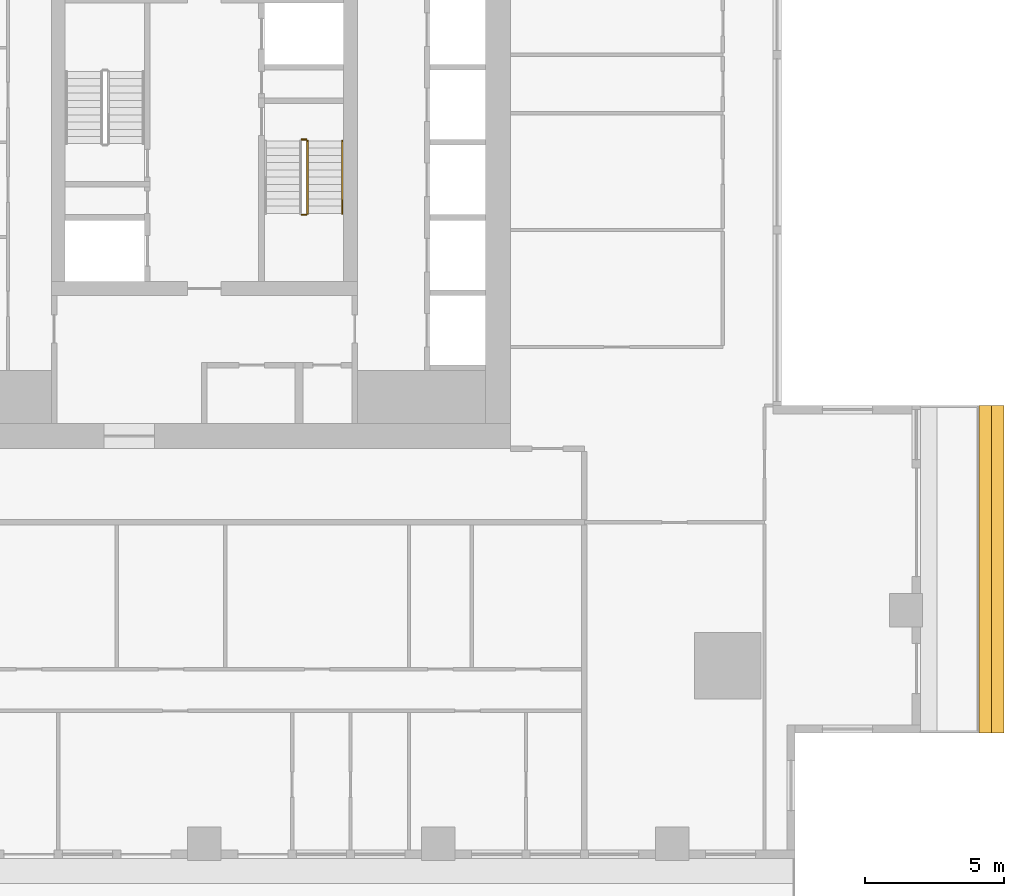
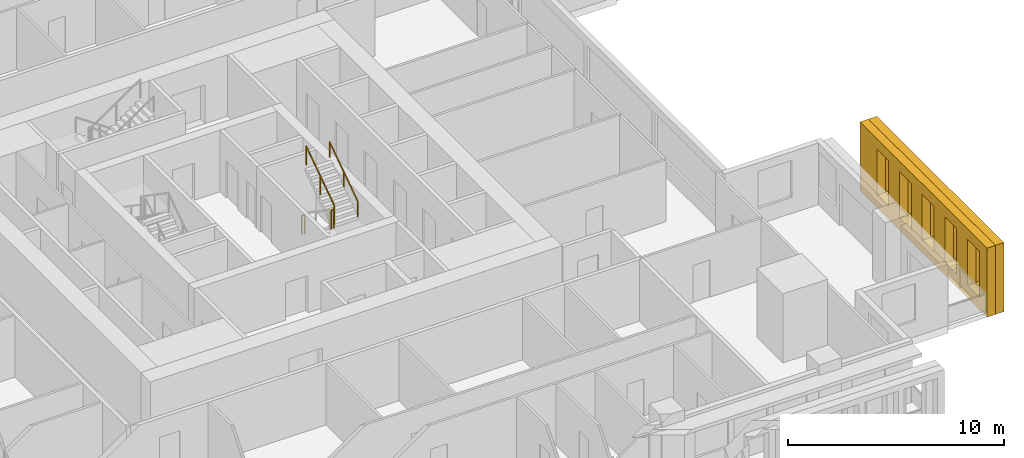
# One storey, part 13 of 15: 4 railings, 2 shading devices.
"""IFC4 building model written with IfcOpenShell, lengths in metres."""

from ifc_helpers import new_model, si_unit, direction, frame, origin, origin_2d, place, context, subcontext, project, spatial, polyline, rectangle, outline, extrude, material, type_object, element, save


model = new_model("IFC4")

# Units and contexts
model_context = context("Model", 3, precision=1e-05, world=origin(), true_north=direction((0.0, 1.0)))
body_context = subcontext(model_context, "Body", "Model", "MODEL_VIEW")
ifc_project = project(units=[si_unit("LENGTHUNIT", "METRE"), si_unit("AREAUNIT", "SQUARE_METRE"), si_unit("VOLUMEUNIT", "CUBIC_METRE"), si_unit("PLANEANGLEUNIT", "RADIAN"), si_unit("MASSUNIT", "GRAM", prefix="KILO")], contexts=[model_context])

# Site, building, storey
site_placement = place(None, origin())
site = spatial("IfcSite", under=ifc_project, at=site_placement, CompositionType="ELEMENT")
building_placement = place(site_placement, origin())
building = spatial("IfcBuilding", under=site, at=building_placement, Name="Khepri Terraces", CompositionType="ELEMENT")
storey_placement = place(building_placement, frame((0.0, 0.0, 215.699951171875)))
storey = spatial("IfcBuildingStorey", under=building, at=storey_placement, Name="L51", CompositionType="ELEMENT", Elevation=215.699951171875)

# Railings
ifc_material_1 = material(Name="Stainless steel 316", Category="steel")
railing_type_1 = type_object("IfcRailingType", Name="RL-CORE-GUARD", PredefinedType="GUARDRAIL", material=ifc_material_1)
railing_1_placement = place(storey_placement, frame((3.5, -2.60009765625, 1.949951171875)))
element("IfcRailing", 1, at=railing_1_placement, inside=storey, type_object=railing_type_1, Name="L51 ST-2 stair guard 2", PredefinedType="GUARDRAIL", context=body_context, shape_type="SweptSolid", body=[
    extrude(rectangle(XDim=0.050048828125, YDim=0.06005859375, at=origin_2d()), frame((0.0, 0.0, 1.070068359375), z_axis=(1.0, 0.0, 0.0), x_axis=(0.0, 1.0, 0.0)), (0.0, 0.0, 1.0), 0.14990234375),
    extrude(rectangle(XDim=0.050048828125, YDim=0.050048828125, at=origin_2d()), origin(), (0.0, 0.0, 1.0), 1.0400390625),
    extrude(rectangle(XDim=0.050048828125, YDim=0.050048828125, at=origin_2d()), frame((0.14990234375, 0.0, 0.0)), (0.0, 0.0, 1.0), 1.0400390625),
])
railing_2_placement = place(storey_placement, frame((3.699951171875, -2.550048828125, 2.12744140625)))
element("IfcRailing", 2, at=railing_2_placement, inside=storey, type_object=railing_type_1, Name="L51 ST-2 stair guard 3", PredefinedType="GUARDRAIL", context=body_context, shape_type="SweptSolid", body=[
    extrude(rectangle(XDim=0.050048828125, YDim=0.06005859375, at=origin_2d()), frame((0.0, 0.0, 1.070068359375), z_axis=(0.0, 0.826240473404, 0.563317565952), x_axis=(-1.0, 0.0, 0.0)), (0.0, 0.0, 1.0), 3.14697265625),
    extrude(rectangle(XDim=0.050048828125, YDim=0.050048828125, at=origin_2d()), origin(), (0.0, 0.0, 1.0), 1.0400390625),
    extrude(rectangle(XDim=0.050048828125, YDim=0.050048828125, at=origin_2d()), frame((0.0, 1.300048828125, 0.88623046875)), (0.0, 0.0, 1.0), 1.0400390625),
    extrude(rectangle(XDim=0.050048828125, YDim=0.050048828125, at=origin_2d()), frame((0.0, 2.60009765625, 1.772705078125)), (0.0, 0.0, 1.0), 1.0400390625),
])
railing_3_placement = place(storey_placement, frame((3.5, 0.10009765625, 0.0)))
element("IfcRailing", 3, at=railing_3_placement, inside=storey, type_object=railing_type_1, Name="L51 ST-2 stair guard 4", PredefinedType="GUARDRAIL", context=body_context, shape_type="SweptSolid", body=[
    extrude(rectangle(XDim=0.050048828125, YDim=0.06005859375, at=origin_2d()), frame((0.0, 0.0, 1.070068359375), z_axis=(1.0, 0.0, 0.0), x_axis=(0.0, 1.0, 0.0)), (0.0, 0.0, 1.0), 0.14990234375),
    extrude(rectangle(XDim=0.050048828125, YDim=0.050048828125, at=origin_2d()), origin(), (0.0, 0.0, 1.0), 1.0400390625),
    extrude(rectangle(XDim=0.050048828125, YDim=0.050048828125, at=origin_2d()), frame((0.14990234375, 0.0, 0.0)), (0.0, 0.0, 1.0), 1.0400390625),
])
railing_type_2 = type_object("IfcRailingType", Name="RL-CORE-HANDRAIL", PredefinedType="HANDRAIL", material=ifc_material_1)
railing_4_placement = place(storey_placement, frame((4.949951171875, -2.550048828125, 2.12744140625)))
element("IfcRailing", 4, at=railing_4_placement, inside=storey, type_object=railing_type_2, Name="L51 ST-2 stair handrail 2", PredefinedType="HANDRAIL", context=body_context, shape_type="SweptSolid", body=[
    extrude(rectangle(XDim=0.050048828125, YDim=0.050048828125, at=origin_2d()), frame((0.0, 0.0, 0.875), z_axis=(0.0, 0.826240473404, 0.563317565952), x_axis=(-1.0, 0.0, 0.0)), (0.0, 0.0, 1.0), 3.14697265625),
    extrude(rectangle(XDim=0.050048828125, YDim=0.050048828125, at=origin_2d()), origin(), (0.0, 0.0, 1.0), 0.849853515625),
    extrude(rectangle(XDim=0.050048828125, YDim=0.050048828125, at=origin_2d()), frame((0.0, 1.300048828125, 0.88623046875)), (0.0, 0.0, 1.0), 0.849853515625),
    extrude(rectangle(XDim=0.050048828125, YDim=0.050048828125, at=origin_2d()), frame((0.0, 2.60009765625, 1.772705078125)), (0.0, 0.0, 1.0), 0.849853515625),
])

# Shading devices
ifc_material_2 = material(Name="Precast concrete C50/60 warm stone", Category="masonry")
shading_device_type_1 = type_object("IfcShadingDeviceType", Name="SCR-CELL-INNER-450", PredefinedType="USERDEFINED", material=ifc_material_2)
shading_device_1_placement = place(storey_placement, frame((27.820068359375, -21.219970703125, -0.25), z_axis=(1.0, 0.0, 0.0), x_axis=(0.0, 1.0, 0.0)))
element("IfcShadingDevice", 5, at=shading_device_1_placement, inside=storey, type_object=shading_device_type_1, Name="Cell screen L51 E in", ObjectType="SCREEN", PredefinedType="USERDEFINED", context=body_context, shape_type="SweptSolid", body=[
    extrude(outline(polyline([(0.0, 0.0), (11.77001953125, 0.0), (11.77001953125, 3.89990234375), (0.0, 3.89990234375), (0.0, 0.0)]), holes=[polyline([(0.7265625, 0.699951171875), (1.8134765625, 0.699951171875), (1.8134765625, 3.300048828125), (0.7265625, 3.300048828125), (0.7265625, 0.699951171875)]), polyline([(2.82666015625, 0.699951171875), (3.913330078125, 0.699951171875), (3.913330078125, 3.300048828125), (2.82666015625, 3.300048828125), (2.82666015625, 0.699951171875)]), polyline([(4.926513671875, 0.699951171875), (6.013427734375, 0.699951171875), (6.013427734375, 3.300048828125), (4.926513671875, 3.300048828125), (4.926513671875, 0.699951171875)]), polyline([(7.026611328125, 0.699951171875), (8.11328125, 0.699951171875), (8.11328125, 3.300048828125), (7.026611328125, 3.300048828125), (7.026611328125, 0.699951171875)]), polyline([(9.126708984375, 0.699951171875), (10.21337890625, 0.699951171875), (10.21337890625, 3.300048828125), (9.126708984375, 3.300048828125), (9.126708984375, 0.699951171875)])]), origin(), (0.0, 0.0, 1.0), 0.449951171875),
])
shading_device_type_2 = type_object("IfcShadingDeviceType", Name="SCR-CELL-OUTER-450", PredefinedType="USERDEFINED", material=ifc_material_2)
shading_device_2_placement = place(storey_placement, frame((28.27001953125, -21.219970703125, -0.25), z_axis=(1.0, 0.0, 0.0), x_axis=(0.0, 1.0, 0.0)))
element("IfcShadingDevice", 6, at=shading_device_2_placement, inside=storey, type_object=shading_device_type_2, Name="Cell screen L51 E out", ObjectType="SCREEN", PredefinedType="USERDEFINED", context=body_context, shape_type="SweptSolid", body=[
    extrude(outline(polyline([(0.0, 0.0), (11.77001953125, 0.0), (11.77001953125, 3.89990234375), (0.0, 3.89990234375), (0.0, 0.0)]), holes=[polyline([(0.376708984375, 0.449951171875), (2.163330078125, 0.449951171875), (2.163330078125, 3.550048828125), (0.376708984375, 3.550048828125), (0.376708984375, 0.449951171875)]), polyline([(2.4765625, 0.449951171875), (4.263427734375, 0.449951171875), (4.263427734375, 3.550048828125), (2.4765625, 3.550048828125), (2.4765625, 0.449951171875)]), polyline([(4.57666015625, 0.449951171875), (6.36328125, 0.449951171875), (6.36328125, 3.550048828125), (4.57666015625, 3.550048828125), (4.57666015625, 0.449951171875)]), polyline([(6.676513671875, 0.449951171875), (8.46337890625, 0.449951171875), (8.46337890625, 3.550048828125), (6.676513671875, 3.550048828125), (6.676513671875, 0.449951171875)]), polyline([(8.776611328125, 0.449951171875), (10.5634765625, 0.449951171875), (10.5634765625, 3.550048828125), (8.776611328125, 3.550048828125), (8.776611328125, 0.449951171875)])]), origin(), (0.0, 0.0, 1.0), 0.449951171875),
])

save(model, "model.ifc")
